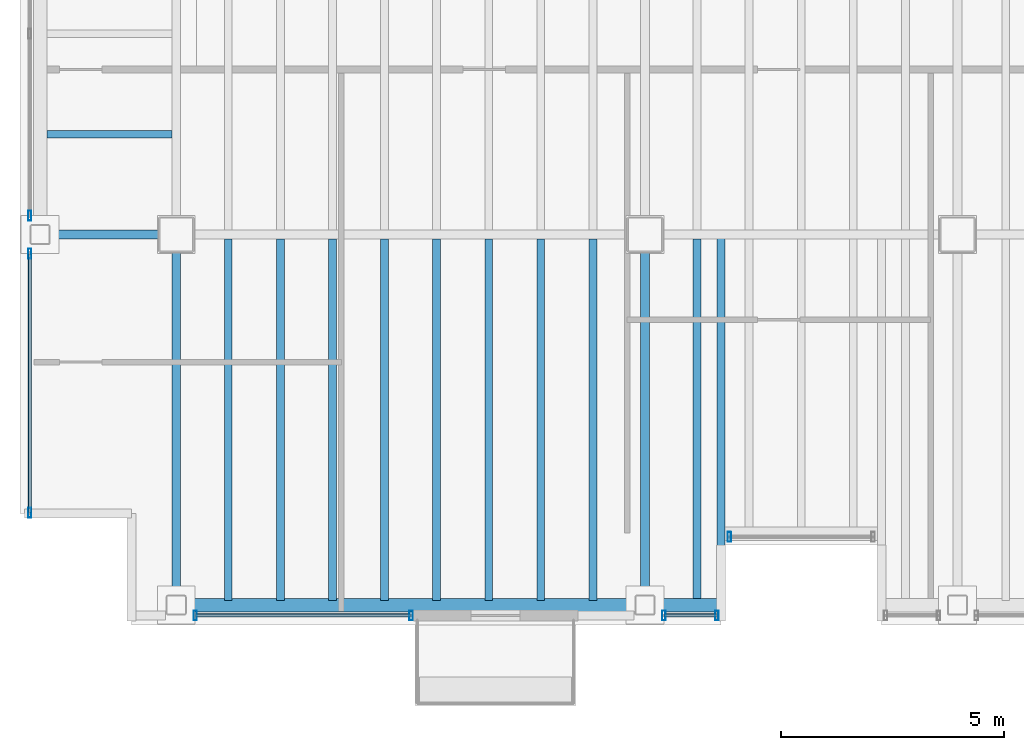
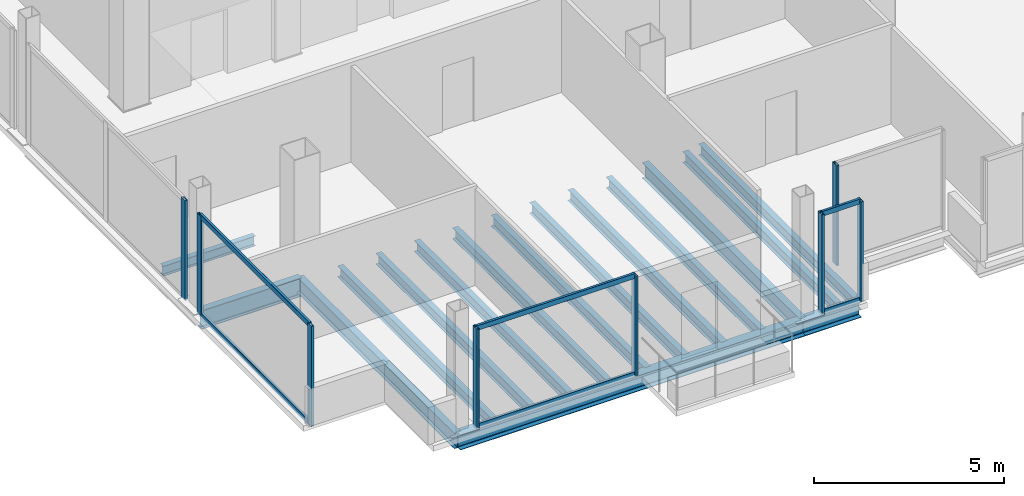
# One storey, part 2 of 15: 16 beams, 14 members, 5 elements without a shape of their own.
"""IFC4 building model written with IfcOpenShell, lengths in metres."""

from ifc_helpers import new_model, si_unit, direction, frame, origin, origin_2d, place, context, subcontext, project, spatial, hollow_rectangle, i_section, extrude, material, material_profile, profile_set, type_object, element, aggregate, save


model = new_model("IFC4")

# Units and contexts
model_context = context("Model", 3, precision=1e-05, world=origin(), true_north=direction((0.0, 1.0)))
body_context = subcontext(model_context, "Body", "Model", "MODEL_VIEW")
ifc_project = project(units=[si_unit("LENGTHUNIT", "METRE"), si_unit("AREAUNIT", "SQUARE_METRE"), si_unit("VOLUMEUNIT", "CUBIC_METRE"), si_unit("PLANEANGLEUNIT", "RADIAN"), si_unit("MASSUNIT", "GRAM", prefix="KILO")], contexts=[model_context])

# Site, building, storey
site_placement = place(None, origin())
site = spatial("IfcSite", under=ifc_project, at=site_placement, CompositionType="ELEMENT")
building_placement = place(site_placement, origin())
building = spatial("IfcBuilding", under=site, at=building_placement, Name="Noeulbin Bourse Tower", CompositionType="ELEMENT")
storey_placement = place(building_placement, frame((0.0, 0.0, 222.800048828125)))
storey = spatial("IfcBuildingStorey", under=building, at=storey_placement, Name="L55", CompositionType="ELEMENT", Elevation=222.800048828125)

# Beams
ifc_material_1 = material(Name="Steel S355", Category="steel")
ifc_material_profile_1 = material_profile(ifc_material_1, i_section(OverallWidth=0.199951171875, OverallDepth=0.5, WebThickness=0.010009765625, FlangeThickness=0.01611328125, FilletRadius=0.02001953125, at=origin_2d()), Name="H-500x200x10x16", Category="LoadBearing")
ifc_profile_set_1 = profile_set([ifc_material_profile_1], Name="Steel S355")
beam_type_1 = type_object("IfcBeamType", Name="BM-GRD-500", PredefinedType="USERDEFINED", material=ifc_profile_set_1)
for number, where, z_axis, x_axis, name in (
    (1, (13.5, 11.699951171875, -0.429931640625), (0.0, 1.0, 0.0), (-1.0, 0.0, 0.0), "Tower Primary Girder NS L55-1.1"),
    (2, (24.0, 11.699951171875, -0.429931640625), (0.0, 1.0, 0.0), (-1.0, 0.0, 0.0), "Tower Primary Girder NS L55-2.1"),
):
    element("IfcBeam", number, at=place(storey_placement, frame(where, z_axis=z_axis, x_axis=x_axis)), inside=storey, type_object=beam_type_1, Name=name, ObjectType="GIRDER", PredefinedType="USERDEFINED", context=body_context, shape_type="SweptSolid", body=[
        extrude(i_section(OverallWidth=0.199951171875, OverallDepth=0.5, WebThickness=0.010009765625, FlangeThickness=0.01611328125, FilletRadius=0.02001953125, at=origin_2d()), origin(), (0.0, 0.0, 1.0), 8.300048828125),
    ])
ifc_material_profile_2 = material_profile(ifc_material_1, i_section(OverallWidth=0.199951171875, OverallDepth=0.60009765625, WebThickness=0.010986328125, FlangeThickness=0.01708984375, FilletRadius=0.02197265625, at=origin_2d()), Name="H-600x200x11x17", Category="LoadBearing")
ifc_profile_set_2 = profile_set([ifc_material_profile_2], Name="Steel S355")
beam_type_2 = type_object("IfcBeamType", Name="BM-GRD-600", PredefinedType="USERDEFINED", material=ifc_profile_set_2)
beam_1_placement = place(storey_placement, frame((10.449951171875, 20.0, -0.47998046875), z_axis=(1.0, 0.0, 0.0), x_axis=(0.0, 1.0, 0.0)))
element("IfcBeam", 3, at=beam_1_placement, inside=storey, type_object=beam_type_2, Name="Tower Primary Girder EW L55-1.1", ObjectType="GIRDER", PredefinedType="USERDEFINED", context=body_context, shape_type="SweptSolid", body=[
    extrude(i_section(OverallWidth=0.199951171875, OverallDepth=0.60009765625, WebThickness=0.010986328125, FlangeThickness=0.01708984375, FilletRadius=0.02197265625, at=origin_2d()), origin(), (0.0, 0.0, 1.0), 3.050048828125),
])
ifc_material_profile_3 = material_profile(ifc_material_1, i_section(OverallWidth=0.159912109375, OverallDepth=0.320068359375, WebThickness=0.006591796875, FlangeThickness=0.010009765625, FilletRadius=0.012939453125, at=origin_2d()), Name="H-320x160x6.5x10", Category="LoadBearing")
ifc_profile_set_3 = profile_set([ifc_material_profile_3], Name="Steel S355")
beam_type_3 = type_object("IfcBeamType", Name="BM-JST-320", PredefinedType="JOIST", material=ifc_profile_set_3)
beam_2_placement = place(storey_placement, frame((10.60009765625, 22.25, -0.340087890625), z_axis=(1.0, 0.0, 0.0), x_axis=(0.0, 1.0, 0.0)))
element("IfcBeam", 4, at=beam_2_placement, inside=storey, type_object=beam_type_3, Name="Wing Composite Joist L55-W47", PredefinedType="JOIST", context=body_context, shape_type="SweptSolid", body=[
    extrude(i_section(OverallWidth=0.159912109375, OverallDepth=0.320068359375, WebThickness=0.006591796875, FlangeThickness=0.010009765625, FilletRadius=0.012939453125, at=origin_2d()), origin(), (0.0, 0.0, 1.0), 2.7998046875),
])
ifc_material_profile_4 = material_profile(ifc_material_1, i_section(OverallWidth=0.175048828125, OverallDepth=0.35009765625, WebThickness=0.007080078125, FlangeThickness=0.010986328125, FilletRadius=0.013916015625, at=origin_2d()), Name="H-350x175x7x11", Category="LoadBearing")
ifc_profile_set_4 = profile_set([ifc_material_profile_4], Name="Steel S355")
beam_type_4 = type_object("IfcBeamType", Name="BM-JST-350", PredefinedType="JOIST", material=ifc_profile_set_4)
beam_3_placement = place(storey_placement, frame((25.699951171875, 11.699951171875, -0.35498046875), z_axis=(0.0, 1.0, 0.0), x_axis=(-1.0, 0.0, 0.0)))
element("IfcBeam", 5, at=beam_3_placement, inside=storey, type_object=beam_type_4, Name="BM-L55-SRT-W", PredefinedType="JOIST", context=body_context, shape_type="SweptSolid", body=[
    extrude(i_section(OverallWidth=0.175048828125, OverallDepth=0.35009765625, WebThickness=0.007080078125, FlangeThickness=0.010986328125, FilletRadius=0.013916015625, at=origin_2d()), origin(), (0.0, 0.0, 1.0), 8.300048828125),
])
for number, where, z_axis, x_axis, name in (
    (6, (14.666748046875, 11.800048828125, -0.35498046875), (0.0, 1.0, 0.0), (-1.0, 0.0, 0.0), "Tower Composite Joist L55-01"),
    (7, (15.833251953125, 11.800048828125, -0.35498046875), (0.0, 1.0, 0.0), (-1.0, 0.0, 0.0), "Tower Composite Joist L55-03"),
    (8, (17.0, 11.800048828125, -0.35498046875), (0.0, 1.0, 0.0), (-1.0, 0.0, 0.0), "Tower Composite Joist L55-05"),
    (9, (18.166748046875, 11.800048828125, -0.35498046875), (0.0, 1.0, 0.0), (-1.0, 0.0, 0.0), "Tower Composite Joist L55-07"),
    (10, (19.333251953125, 11.800048828125, -0.35498046875), (0.0, 1.0, 0.0), (-1.0, 0.0, 0.0), "Tower Composite Joist L55-09"),
    (11, (20.5, 11.800048828125, -0.35498046875), (0.0, 1.0, 0.0), (-1.0, 0.0, 0.0), "Tower Composite Joist L55-11"),
    (12, (21.666748046875, 11.800048828125, -0.35498046875), (0.0, 1.0, 0.0), (-1.0, 0.0, 0.0), "Tower Composite Joist L55-13"),
    (13, (22.833251953125, 11.800048828125, -0.35498046875), (0.0, 1.0, 0.0), (-1.0, 0.0, 0.0), "Tower Composite Joist L55-15"),
    (14, (25.166748046875, 11.800048828125, -0.35498046875), (0.0, 1.0, 0.0), (-1.0, 0.0, 0.0), "Tower Composite Joist L55-17"),
):
    element("IfcBeam", number, at=place(storey_placement, frame(where, z_axis=z_axis, x_axis=x_axis)), inside=storey, type_object=beam_type_4, Name=name, PredefinedType="JOIST", context=body_context, shape_type="SweptSolid", body=[
        extrude(i_section(OverallWidth=0.175048828125, OverallDepth=0.35009765625, WebThickness=0.007080078125, FlangeThickness=0.010986328125, FilletRadius=0.013916015625, at=origin_2d()), origin(), (0.0, 0.0, 1.0), 8.099853515625),
    ])
ifc_material_profile_5 = material_profile(ifc_material_1, i_section(OverallWidth=0.300048828125, OverallDepth=0.488037109375, WebThickness=0.010986328125, FlangeThickness=0.01806640625, FilletRadius=0.02197265625, at=origin_2d()), Name="H-488x300x11x18", Category="LoadBearing")
ifc_profile_set_5 = profile_set([ifc_material_profile_5], Name="Steel S355")
beam_type_5 = type_object("IfcBeamType", Name="BM-SPN-488", PredefinedType="SPANDREL", material=ifc_profile_set_5)
beam_4_placement = place(storey_placement, frame((13.5, 11.699951171875, -0.424072265625), z_axis=(1.0, 0.0, 0.0), x_axis=(0.0, 1.0, 0.0)))
element("IfcBeam", 15, at=beam_4_placement, inside=storey, type_object=beam_type_5, Name="South Spandrel L55-1", PredefinedType="SPANDREL", context=body_context, shape_type="SweptSolid", body=[
    extrude(i_section(OverallWidth=0.300048828125, OverallDepth=0.488037109375, WebThickness=0.010986328125, FlangeThickness=0.01806640625, FilletRadius=0.02197265625, at=origin_2d()), origin(), (0.0, 0.0, 1.0), 10.5),
])
beam_5_placement = place(storey_placement, frame((24.0, 11.699951171875, -0.424072265625), z_axis=(1.0, 0.0, 0.0), x_axis=(0.0, 1.0, 0.0)))
element("IfcBeam", 16, at=beam_5_placement, inside=storey, type_object=beam_type_5, Name="South Spandrel L55-2A", PredefinedType="SPANDREL", context=body_context, shape_type="SweptSolid", body=[
    extrude(i_section(OverallWidth=0.300048828125, OverallDepth=0.488037109375, WebThickness=0.010986328125, FlangeThickness=0.01806640625, FilletRadius=0.02197265625, at=origin_2d()), origin(), (0.0, 0.0, 1.0), 1.699951171875),
])

# Curtain wall, member
ifc_material_2 = material(Name="High-Selectivity Low-Iron Glazing", Category="glass")
curtain_wall_type = type_object("IfcCurtainWallType", Name="CW-SYS-4", PredefinedType="NOTDEFINED", material=ifc_material_2)
curtain_wall_1_placement = place(storey_placement, origin())
curtain_wall_1 = element("IfcCurtainWall", 17, at=curtain_wall_1_placement, inside=storey, type_object=curtain_wall_type, Name="Unitised Curtain Wall CW-L55-SREC", PredefinedType="NOTDEFINED")
ifc_material_3 = material(Name="Anodised Aluminium 6063-T6", Category="aluminium")
ifc_material_profile_6 = material_profile(ifc_material_3, hollow_rectangle(XDim=0.074951171875, YDim=0.219970703125, WallThickness=0.0048828125, InnerFilletRadius=0.00244140625, OuterFilletRadius=0.0048828125, at=origin_2d()), Name="ALU-MULL-75x220x5", Category="LoadBearing")
ifc_profile_set_6 = profile_set([ifc_material_profile_6], Name="Anodised Aluminium 6063-T6")
member_type_1 = type_object("IfcMemberType", Name="CW-SYS-4-MUL", PredefinedType="MULLION", material=ifc_profile_set_6)
member_1_placement = place(storey_placement, frame((25.889892578125, 13.22998046875, -0.02001953125), z_axis=(0.0, 0.0, 1.0), x_axis=(1.0, 0.0, 0.0)))
member_1 = element("IfcMember", 18, at=member_1_placement, type_object=member_type_1, Name="Curtain Wall Mullion CW-L55-SREC-M00", PredefinedType="MULLION", context=body_context, shape_type="SweptSolid", body=[
    extrude(hollow_rectangle(XDim=0.074951171875, YDim=0.219970703125, WallThickness=0.0048828125, InnerFilletRadius=0.00244140625, OuterFilletRadius=0.0048828125, at=origin_2d()), origin(), (0.0, 0.0, 1.0), 3.219970703125),
])
aggregate(curtain_wall_1, [member_1])

# Curtain wall, members
curtain_wall_2_placement = place(storey_placement, origin())
curtain_wall_2 = element("IfcCurtainWall", 19, at=curtain_wall_2_placement, inside=storey, type_object=curtain_wall_type, Name="Unitised Curtain Wall CW-L55-S1", PredefinedType="NOTDEFINED")
member_2_placement = place(storey_placement, frame((13.925048828125, 11.469970703125, -0.02001953125), z_axis=(0.0, 0.0, 1.0), x_axis=(1.0, 0.0, 0.0)))
member_2 = element("IfcMember", 20, at=member_2_placement, type_object=member_type_1, Name="Curtain Wall Mullion CW-L55-S1-M00", PredefinedType="MULLION", context=body_context, shape_type="SweptSolid", body=[
    extrude(hollow_rectangle(XDim=0.074951171875, YDim=0.219970703125, WallThickness=0.0048828125, InnerFilletRadius=0.00244140625, OuterFilletRadius=0.0048828125, at=origin_2d()), origin(), (0.0, 0.0, 1.0), 3.219970703125),
])
member_3_placement = place(storey_placement, frame((18.760009765625, 11.469970703125, -0.02001953125), z_axis=(0.0, 0.0, 1.0), x_axis=(1.0, 0.0, 0.0)))
member_3 = element("IfcMember", 21, at=member_3_placement, type_object=member_type_1, Name="Curtain Wall Mullion CW-L55-S1-M01", PredefinedType="MULLION", context=body_context, shape_type="SweptSolid", body=[
    extrude(hollow_rectangle(XDim=0.074951171875, YDim=0.219970703125, WallThickness=0.0048828125, InnerFilletRadius=0.00244140625, OuterFilletRadius=0.0048828125, at=origin_2d()), origin(), (0.0, 0.0, 1.0), 3.219970703125),
])

curtain_wall_3_placement = place(storey_placement, origin())
curtain_wall_3 = element("IfcCurtainWall", 22, at=curtain_wall_3_placement, inside=storey, type_object=curtain_wall_type, Name="Unitised Curtain Wall CW-L55-S2", PredefinedType="NOTDEFINED")
member_4_placement = place(storey_placement, frame((24.425048828125, 11.469970703125, -0.02001953125), z_axis=(0.0, 0.0, 1.0), x_axis=(1.0, 0.0, 0.0)))
member_4 = element("IfcMember", 23, at=member_4_placement, type_object=member_type_1, Name="Curtain Wall Mullion CW-L55-S2-M00", PredefinedType="MULLION", context=body_context, shape_type="SweptSolid", body=[
    extrude(hollow_rectangle(XDim=0.074951171875, YDim=0.219970703125, WallThickness=0.0048828125, InnerFilletRadius=0.00244140625, OuterFilletRadius=0.0048828125, at=origin_2d()), origin(), (0.0, 0.0, 1.0), 3.219970703125),
])
member_5_placement = place(storey_placement, frame((25.610107421875, 11.469970703125, -0.02001953125), z_axis=(0.0, 0.0, 1.0), x_axis=(1.0, 0.0, 0.0)))
member_5 = element("IfcMember", 24, at=member_5_placement, type_object=member_type_1, Name="Curtain Wall Mullion CW-L55-S2-M01", PredefinedType="MULLION", context=body_context, shape_type="SweptSolid", body=[
    extrude(hollow_rectangle(XDim=0.074951171875, YDim=0.219970703125, WallThickness=0.0048828125, InnerFilletRadius=0.00244140625, OuterFilletRadius=0.0048828125, at=origin_2d()), origin(), (0.0, 0.0, 1.0), 3.219970703125),
])

curtain_wall_4_placement = place(storey_placement, origin())
curtain_wall_4 = element("IfcCurtainWall", 25, at=curtain_wall_4_placement, inside=storey, type_object=curtain_wall_type, Name="Unitised Curtain Wall CW-L55-W-S1", PredefinedType="NOTDEFINED")
member_6_placement = place(storey_placement, frame((10.219970703125, 13.77001953125, -0.02001953125), z_axis=(0.0, 0.0, 1.0), x_axis=(1.0, 0.0, 0.0)))
member_6 = element("IfcMember", 26, at=member_6_placement, type_object=member_type_1, Name="Curtain Wall Mullion CW-L55-W-S1-M00", PredefinedType="MULLION", context=body_context, shape_type="SweptSolid", body=[
    extrude(hollow_rectangle(XDim=0.074951171875, YDim=0.219970703125, WallThickness=0.0048828125, InnerFilletRadius=0.00244140625, OuterFilletRadius=0.0048828125, at=origin_2d()), origin(), (0.0, 0.0, 1.0), 3.219970703125),
])
member_7_placement = place(storey_placement, frame((10.219970703125, 19.574951171875, -0.02001953125), z_axis=(0.0, 0.0, 1.0), x_axis=(1.0, 0.0, 0.0)))
member_7 = element("IfcMember", 27, at=member_7_placement, type_object=member_type_1, Name="Curtain Wall Mullion CW-L55-W-S1-M01", PredefinedType="MULLION", context=body_context, shape_type="SweptSolid", body=[
    extrude(hollow_rectangle(XDim=0.074951171875, YDim=0.219970703125, WallThickness=0.0048828125, InnerFilletRadius=0.00244140625, OuterFilletRadius=0.0048828125, at=origin_2d()), origin(), (0.0, 0.0, 1.0), 3.219970703125),
])

# Curtain wall, member
curtain_wall_5_placement = place(storey_placement, origin())
curtain_wall_5 = element("IfcCurtainWall", 28, at=curtain_wall_5_placement, inside=storey, type_object=curtain_wall_type, Name="Unitised Curtain Wall CW-L55-W-S2", PredefinedType="NOTDEFINED")
member_8_placement = place(storey_placement, frame((10.219970703125, 20.425048828125, -0.02001953125), z_axis=(0.0, 0.0, 1.0), x_axis=(1.0, 0.0, 0.0)))
member_8 = element("IfcMember", 29, at=member_8_placement, type_object=member_type_1, Name="Curtain Wall Mullion CW-L55-W-S2-M00", PredefinedType="MULLION", context=body_context, shape_type="SweptSolid", body=[
    extrude(hollow_rectangle(XDim=0.074951171875, YDim=0.219970703125, WallThickness=0.0048828125, InnerFilletRadius=0.00244140625, OuterFilletRadius=0.0048828125, at=origin_2d()), origin(), (0.0, 0.0, 1.0), 3.219970703125),
])
aggregate(curtain_wall_5, [member_8])

# Member
ifc_material_profile_7 = material_profile(ifc_material_3, hollow_rectangle(XDim=0.074951171875, YDim=0.159912109375, WallThickness=0.0048828125, InnerFilletRadius=0.00244140625, OuterFilletRadius=0.0048828125, at=origin_2d()), Name="ALU-TRAN-75x160x5", Category="LoadBearing")
ifc_profile_set_7 = profile_set([ifc_material_profile_7], Name="Anodised Aluminium 6063-T6")
member_type_2 = type_object("IfcMemberType", Name="CW-SYS-4-TRN", PredefinedType="USERDEFINED", material=ifc_profile_set_7)
member_9_placement = place(storey_placement, frame((13.93505859375, 11.469970703125, 0.010009765625), z_axis=(1.0, 0.0, 0.0), x_axis=(0.0, 1.0, 0.0)))
member_9 = element("IfcMember", 30, at=member_9_placement, type_object=member_type_2, Name="Curtain Wall Transom CW-L55-S1-T00", ObjectType="TRANSOM", PredefinedType="USERDEFINED", context=body_context, shape_type="SweptSolid", body=[
    extrude(hollow_rectangle(XDim=0.074951171875, YDim=0.159912109375, WallThickness=0.0048828125, InnerFilletRadius=0.00244140625, OuterFilletRadius=0.0048828125, at=origin_2d()), origin(), (0.0, 0.0, 1.0), 4.81494140625),
])

member_10_placement = place(storey_placement, frame((13.93505859375, 11.469970703125, 3.169921875), z_axis=(1.0, 0.0, 0.0), x_axis=(0.0, 1.0, 0.0)))
member_10 = element("IfcMember", 31, at=member_10_placement, type_object=member_type_2, Name="Curtain Wall Transom CW-L55-S1-T01", ObjectType="TRANSOM", PredefinedType="USERDEFINED", context=body_context, shape_type="SweptSolid", body=[
    extrude(hollow_rectangle(XDim=0.074951171875, YDim=0.159912109375, WallThickness=0.0048828125, InnerFilletRadius=0.00244140625, OuterFilletRadius=0.0048828125, at=origin_2d()), origin(), (0.0, 0.0, 1.0), 4.81494140625),
])

aggregate(curtain_wall_2, [member_2, member_3, member_9, member_10])

member_11_placement = place(storey_placement, frame((24.43505859375, 11.469970703125, 0.010009765625), z_axis=(1.0, 0.0, 0.0), x_axis=(0.0, 1.0, 0.0)))
member_11 = element("IfcMember", 32, at=member_11_placement, type_object=member_type_2, Name="Curtain Wall Transom CW-L55-S2-T00", ObjectType="TRANSOM", PredefinedType="USERDEFINED", context=body_context, shape_type="SweptSolid", body=[
    extrude(hollow_rectangle(XDim=0.074951171875, YDim=0.159912109375, WallThickness=0.0048828125, InnerFilletRadius=0.00244140625, OuterFilletRadius=0.0048828125, at=origin_2d()), origin(), (0.0, 0.0, 1.0), 1.1650390625),
])

member_12_placement = place(storey_placement, frame((24.43505859375, 11.469970703125, 3.169921875), z_axis=(1.0, 0.0, 0.0), x_axis=(0.0, 1.0, 0.0)))
member_12 = element("IfcMember", 33, at=member_12_placement, type_object=member_type_2, Name="Curtain Wall Transom CW-L55-S2-T01", ObjectType="TRANSOM", PredefinedType="USERDEFINED", context=body_context, shape_type="SweptSolid", body=[
    extrude(hollow_rectangle(XDim=0.074951171875, YDim=0.159912109375, WallThickness=0.0048828125, InnerFilletRadius=0.00244140625, OuterFilletRadius=0.0048828125, at=origin_2d()), origin(), (0.0, 0.0, 1.0), 1.1650390625),
])

aggregate(curtain_wall_3, [member_4, member_5, member_11, member_12])

member_13_placement = place(storey_placement, frame((10.219970703125, 13.780029296875, 0.010009765625), z_axis=(0.0, 1.0, 0.0), x_axis=(-1.0, 0.0, 0.0)))
member_13 = element("IfcMember", 34, at=member_13_placement, type_object=member_type_2, Name="Curtain Wall Transom CW-L55-W-S1-T00", ObjectType="TRANSOM", PredefinedType="USERDEFINED", context=body_context, shape_type="SweptSolid", body=[
    extrude(hollow_rectangle(XDim=0.074951171875, YDim=0.159912109375, WallThickness=0.0048828125, InnerFilletRadius=0.00244140625, OuterFilletRadius=0.0048828125, at=origin_2d()), origin(), (0.0, 0.0, 1.0), 5.784912109375),
])

member_14_placement = place(storey_placement, frame((10.219970703125, 13.780029296875, 3.169921875), z_axis=(0.0, 1.0, 0.0), x_axis=(-1.0, 0.0, 0.0)))
member_14 = element("IfcMember", 35, at=member_14_placement, type_object=member_type_2, Name="Curtain Wall Transom CW-L55-W-S1-T01", ObjectType="TRANSOM", PredefinedType="USERDEFINED", context=body_context, shape_type="SweptSolid", body=[
    extrude(hollow_rectangle(XDim=0.074951171875, YDim=0.159912109375, WallThickness=0.0048828125, InnerFilletRadius=0.00244140625, OuterFilletRadius=0.0048828125, at=origin_2d()), origin(), (0.0, 0.0, 1.0), 5.784912109375),
])

aggregate(curtain_wall_4, [member_6, member_7, member_13, member_14])

save(model, "model.ifc")
